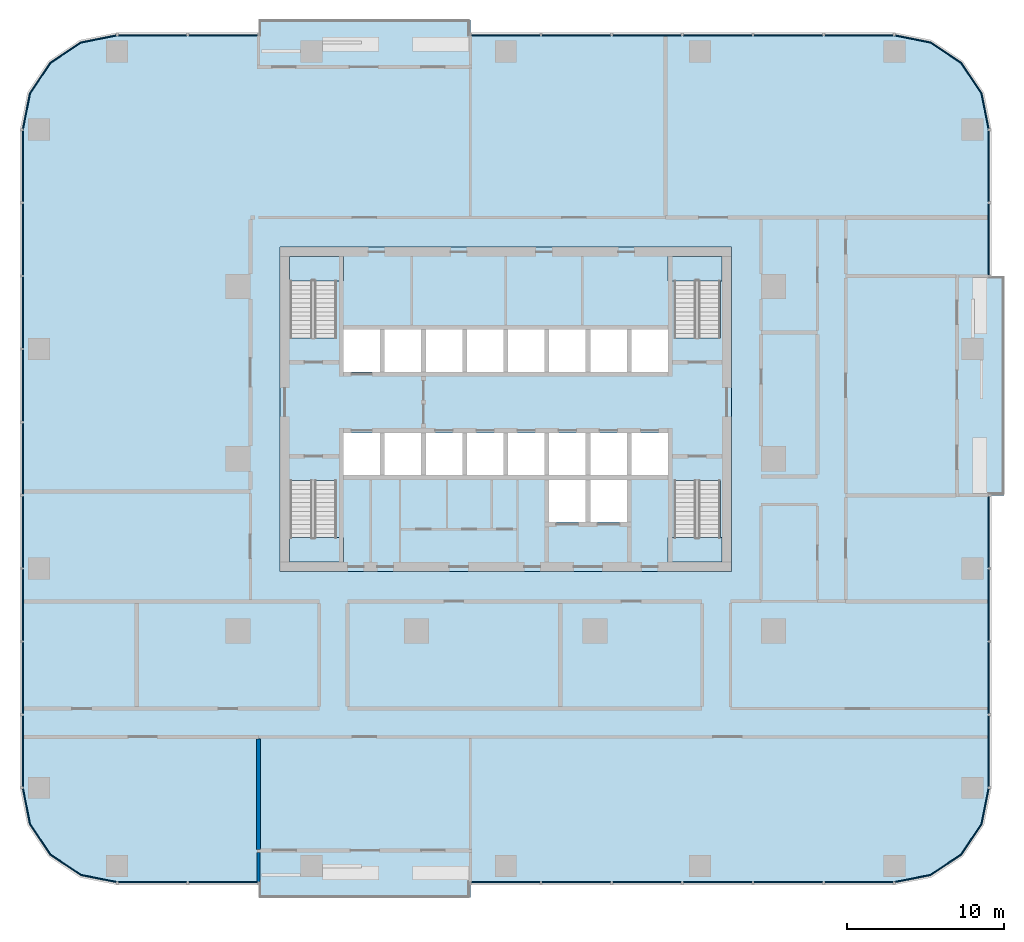
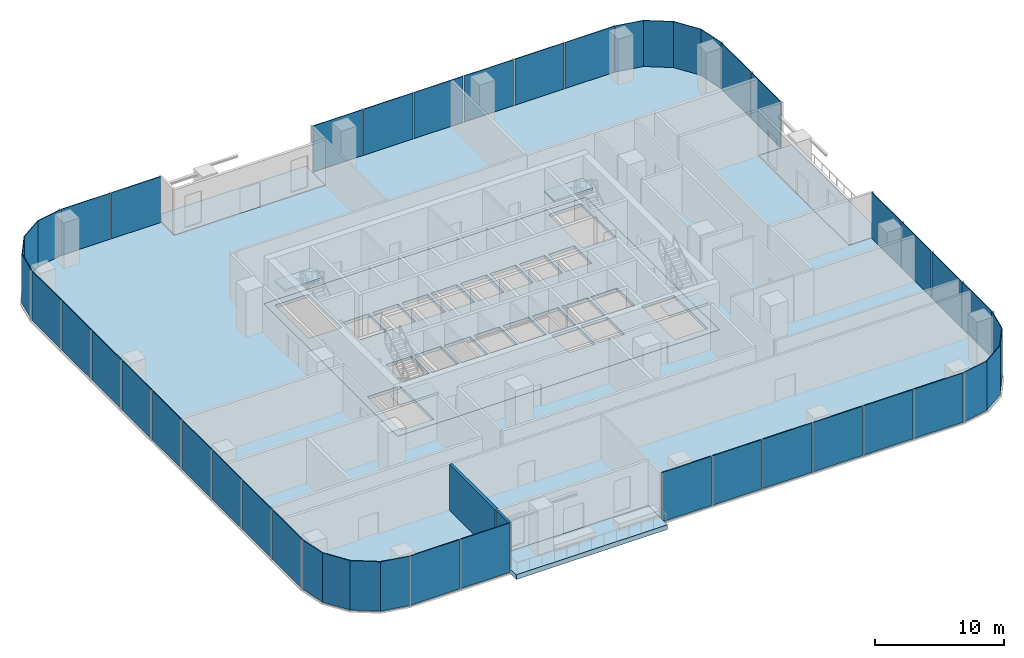
# One storey, part 6 of 15: 35 plates, 9 slabs, 2 walls, 15 elements without a shape of their own.
"""IFC4 building model written with IfcOpenShell, lengths in metres."""

from ifc_helpers import new_model, si_unit, direction, frame, frame_2d, origin, origin_2d, place, context, subcontext, project, spatial, polyline, rectangle, outline, extrude, material, layer, layer_set, type_object, element, aggregate, save


model = new_model("IFC4")

# Units and contexts
model_context = context("Model", 3, precision=1e-05, world=origin(), true_north=direction((0.0, 1.0)))
body_context = subcontext(model_context, "Body", "Model", "MODEL_VIEW")
ifc_project = project(units=[si_unit("LENGTHUNIT", "METRE"), si_unit("AREAUNIT", "SQUARE_METRE"), si_unit("VOLUMEUNIT", "CUBIC_METRE"), si_unit("PLANEANGLEUNIT", "RADIAN"), si_unit("MASSUNIT", "GRAM", prefix="KILO")], contexts=[model_context])

# Site, building, storey
site_placement = place(None, origin())
site = spatial("IfcSite", under=ifc_project, at=site_placement, CompositionType="ELEMENT")
building_placement = place(site_placement, origin())
building = spatial("IfcBuilding", under=site, at=building_placement, Name="Mopane Tessera Tower", CompositionType="ELEMENT")
storey_placement = place(building_placement, frame((0.0, 0.0, 64.60009765625)))
storey = spatial("IfcBuildingStorey", under=building, at=storey_placement, Name="L12", CompositionType="ELEMENT", Elevation=64.60009765625)

# Slab
ifc_material_1 = material(Name="Concrete C40/50", Category="concrete")
ifc_layer_1 = layer(ifc_material_1, 0.300048828125)
ifc_layer_set_1 = layer_set([ifc_layer_1], Name="Concrete C40/50")
slab_type_1 = type_object("IfcSlabType", Name="Core floor slab 300 mm", PredefinedType="FLOOR", material=ifc_layer_set_1)
slab_1_placement = place(storey_placement, frame((0.0, 0.0, -0.300048828125)))
element("IfcSlab", 1, at=slab_1_placement, inside=storey, type_object=slab_type_1, Name="L12 core floor slab", PredefinedType="FLOOR", context=body_context, shape_type="SweptSolid", body=[
    extrude(outline(polyline([(-14.39990234375, -7.199951171875), (14.39990234375, -7.199951171875), (14.39990234375, 13.5), (-14.39990234375, 13.5), (-14.39990234375, -7.199951171875)]), holes=[polyline([(-10.35009765625, -1.050048828125), (-8.02490234375, -1.050048828125), (-8.02490234375, 1.64990234375), (-10.35009765625, 1.64990234375), (-10.35009765625, -1.050048828125)]), polyline([(-7.72509765625, -1.050048828125), (-5.39990234375, -1.050048828125), (-5.39990234375, 1.64990234375), (-7.72509765625, 1.64990234375), (-7.72509765625, -1.050048828125)]), polyline([(-5.10009765625, -1.050048828125), (-2.77490234375, -1.050048828125), (-2.77490234375, 1.64990234375), (-5.10009765625, 1.64990234375), (-5.10009765625, -1.050048828125)]), polyline([(-2.47509765625, -1.050048828125), (-0.14990234375, -1.050048828125), (-0.14990234375, 1.64990234375), (-2.47509765625, 1.64990234375), (-2.47509765625, -1.050048828125)]), polyline([(0.14990234375, -1.050048828125), (2.47509765625, -1.050048828125), (2.47509765625, 1.64990234375), (0.14990234375, 1.64990234375), (0.14990234375, -1.050048828125)]), polyline([(2.77490234375, -1.050048828125), (5.10009765625, -1.050048828125), (5.10009765625, 1.64990234375), (2.77490234375, 1.64990234375), (2.77490234375, -1.050048828125)]), polyline([(5.39990234375, -1.050048828125), (7.72509765625, -1.050048828125), (7.72509765625, 1.64990234375), (5.39990234375, 1.64990234375), (5.39990234375, -1.050048828125)]), polyline([(8.02490234375, -1.050048828125), (10.35009765625, -1.050048828125), (10.35009765625, 1.64990234375), (8.02490234375, 1.64990234375), (8.02490234375, -1.050048828125)]), polyline([(-10.35009765625, 5.550048828125), (-8.02490234375, 5.550048828125), (-8.02490234375, 8.25), (-10.35009765625, 8.25), (-10.35009765625, 5.550048828125)]), polyline([(-7.72509765625, 5.550048828125), (-5.39990234375, 5.550048828125), (-5.39990234375, 8.25), (-7.72509765625, 8.25), (-7.72509765625, 5.550048828125)]), polyline([(-5.10009765625, 5.550048828125), (-2.77490234375, 5.550048828125), (-2.77490234375, 8.25), (-5.10009765625, 8.25), (-5.10009765625, 5.550048828125)]), polyline([(-2.47509765625, 5.550048828125), (-0.14990234375, 5.550048828125), (-0.14990234375, 8.25), (-2.47509765625, 8.25), (-2.47509765625, 5.550048828125)]), polyline([(0.14990234375, 5.550048828125), (2.47509765625, 5.550048828125), (2.47509765625, 8.25), (0.14990234375, 8.25), (0.14990234375, 5.550048828125)]), polyline([(2.77490234375, 5.550048828125), (5.10009765625, 5.550048828125), (5.10009765625, 8.25), (2.77490234375, 8.25), (2.77490234375, 5.550048828125)]), polyline([(5.39990234375, 5.550048828125), (7.72509765625, 5.550048828125), (7.72509765625, 8.25), (5.39990234375, 8.25), (5.39990234375, 5.550048828125)]), polyline([(8.02490234375, 5.550048828125), (10.35009765625, 5.550048828125), (10.35009765625, 8.25), (8.02490234375, 8.25), (8.02490234375, 5.550048828125)]), polyline([(2.77490234375, -4.050048828125), (5.10009765625, -4.050048828125), (5.10009765625, -1.35009765625), (2.77490234375, -1.35009765625), (2.77490234375, -4.050048828125)]), polyline([(5.39990234375, -4.050048828125), (7.72509765625, -4.050048828125), (7.72509765625, -1.35009765625), (5.39990234375, -1.35009765625), (5.39990234375, -4.050048828125)]), polyline([(-13.75, -1.405029296875), (-13.75, -6.60009765625), (-10.800048828125, -6.60009765625), (-10.800048828125, -1.405029296875), (-13.75, -1.405029296875)]), polyline([(-10.800048828125, 7.705078125), (-10.800048828125, 12.89990234375), (-13.75, 12.89990234375), (-13.75, 7.705078125), (-10.800048828125, 7.705078125)]), polyline([(10.75, -1.405029296875), (10.75, -6.60009765625), (13.699951171875, -6.60009765625), (13.699951171875, -1.405029296875), (10.75, -1.405029296875)]), polyline([(13.699951171875, 7.705078125), (13.699951171875, 12.89990234375), (10.75, 12.89990234375), (10.75, 7.705078125), (13.699951171875, 7.705078125)])]), origin(), (0.0, 0.0, 1.0), 0.300048828125),
])

# Stair, slab
ifc_material_2 = material(Name="Concrete C50/60", Category="concrete")
stair_type = type_object("IfcStairType", Name="Escape stair 1400 mm, riser 171 mm", PredefinedType="HALF_TURN_STAIR", material=ifc_material_2)
stair_1_placement = place(storey_placement, origin())
stair_1 = element("IfcStair", 2, at=stair_1_placement, inside=storey, type_object=stair_type, Name="L12 Escape stair south-west", PredefinedType="HALF_TURN_STAIR")
ifc_material_3 = material(Name="Concrete C50/60", Category="concrete")
ifc_layer_2 = layer(ifc_material_3, 0.199951171875)
ifc_layer_set_2 = layer_set([ifc_layer_2], Name="Concrete C50/60")
slab_type_2 = type_object("IfcSlabType", Name="Escape stair landing 200 mm", PredefinedType="LANDING", material=ifc_layer_set_2)
slab_2_placement = place(storey_placement, frame((0.0, 0.0, 2.199951171875)))
slab_2 = element("IfcSlab", 3, at=slab_2_placement, type_object=slab_type_2, Name="ST1 landing 1", PredefinedType="LANDING", context=body_context, shape_type="SweptSolid", body=[
    extrude(outline(polyline([(-13.800048828125, -5.0400390625), (-13.800048828125, -6.60009765625), (-10.35009765625, -6.60009765625), (-10.35009765625, -5.0400390625), (-13.800048828125, -5.0400390625)])), origin(), (0.0, 0.0, 1.0), 0.199951171875),
])
aggregate(stair_1, [slab_2])

stair_2_placement = place(storey_placement, origin())
stair_2 = element("IfcStair", 4, at=stair_2_placement, inside=storey, type_object=stair_type, Name="L12 Escape stair north-west", PredefinedType="HALF_TURN_STAIR")
slab_3_placement = place(storey_placement, frame((0.0, 0.0, 2.199951171875)))
slab_3 = element("IfcSlab", 5, at=slab_3_placement, type_object=slab_type_2, Name="ST2 landing 1", PredefinedType="LANDING", context=body_context, shape_type="SweptSolid", body=[
    extrude(outline(polyline([(-10.35009765625, 11.340087890625), (-10.35009765625, 12.89990234375), (-13.800048828125, 12.89990234375), (-13.800048828125, 11.340087890625), (-10.35009765625, 11.340087890625)])), origin(), (0.0, 0.0, 1.0), 0.199951171875),
])
aggregate(stair_2, [slab_3])

stair_3_placement = place(storey_placement, origin())
stair_3 = element("IfcStair", 6, at=stair_3_placement, inside=storey, type_object=stair_type, Name="L12 Escape stair south-east", PredefinedType="HALF_TURN_STAIR")
slab_4_placement = place(storey_placement, frame((0.0, 0.0, 2.199951171875)))
slab_4 = element("IfcSlab", 7, at=slab_4_placement, type_object=slab_type_2, Name="ST3 landing 1", PredefinedType="LANDING", context=body_context, shape_type="SweptSolid", body=[
    extrude(outline(polyline([(10.35009765625, -5.0400390625), (10.35009765625, -6.60009765625), (13.800048828125, -6.60009765625), (13.800048828125, -5.0400390625), (10.35009765625, -5.0400390625)])), origin(), (0.0, 0.0, 1.0), 0.199951171875),
])
aggregate(stair_3, [slab_4])

stair_4_placement = place(storey_placement, origin())
stair_4 = element("IfcStair", 8, at=stair_4_placement, inside=storey, type_object=stair_type, Name="L12 Escape stair north-east", PredefinedType="HALF_TURN_STAIR")
slab_5_placement = place(storey_placement, frame((0.0, 0.0, 2.199951171875)))
slab_5 = element("IfcSlab", 9, at=slab_5_placement, type_object=slab_type_2, Name="ST4 landing 1", PredefinedType="LANDING", context=body_context, shape_type="SweptSolid", body=[
    extrude(outline(polyline([(13.800048828125, 11.340087890625), (13.800048828125, 12.89990234375), (10.35009765625, 12.89990234375), (10.35009765625, 11.340087890625), (13.800048828125, 11.340087890625)])), origin(), (0.0, 0.0, 1.0), 0.199951171875),
])
aggregate(stair_4, [slab_5])

# Curtain wall, plates
ifc_material_4 = material(Name="Aluminium frame", Category="aluminium")
curtain_wall_type = type_object("IfcCurtainWallType", Name="Lower tower unitised wall", PredefinedType="NOTDEFINED", material=ifc_material_4)
curtain_wall_1_placement = place(storey_placement, origin())
curtain_wall_1 = element("IfcCurtainWall", 10, at=curtain_wall_1_placement, inside=storey, type_object=curtain_wall_type, Name="e:cw:L12:S:0", PredefinedType="NOTDEFINED")
ifc_material_5 = material(Name="Clear laminated glass", Category="glass")
ifc_layer_3 = layer(ifc_material_5, 0.070068359375)
ifc_layer_set_3 = layer_set([ifc_layer_3], Name="Clear laminated glass")
plate_type = type_object("IfcPlateType", Name="Laminated glazed unit 70", PredefinedType="CURTAIN_PANEL", material=ifc_layer_set_3)
plate_1_placement = place(storey_placement, frame((-22.54541015625, -27.034912109375, -0.31005859375), z_axis=(0.0, 0.0, 1.0), x_axis=(1.0, 0.0, 0.0)))
plate_1 = element("IfcPlate", 11, at=plate_1_placement, type_object=plate_type, Name="e:cw:L12:S:0:pn0", PredefinedType="CURTAIN_PANEL", context=body_context, shape_type="SweptSolid", body=[
    extrude(rectangle(XDim=4.399169921875, YDim=0.070068359375, at=origin_2d()), origin(), (0.0, 0.0, 1.0), 4.659912109375),
])
plate_2_placement = place(storey_placement, frame((-18.036376953125, -27.034912109375, -0.31005859375), z_axis=(0.0, 0.0, 1.0), x_axis=(1.0, 0.0, 0.0)))
plate_2 = element("IfcPlate", 12, at=plate_2_placement, type_object=plate_type, Name="e:cw:L12:S:0:pn1", PredefinedType="CURTAIN_PANEL", context=body_context, shape_type="SweptSolid", body=[
    extrude(rectangle(XDim=4.399169921875, YDim=0.070068359375, at=origin_2d()), origin(), (0.0, 0.0, 1.0), 4.659912109375),
])
aggregate(curtain_wall_1, [plate_1, plate_2])

curtain_wall_2_placement = place(storey_placement, origin())
curtain_wall_2 = element("IfcCurtainWall", 13, at=curtain_wall_2_placement, inside=storey, type_object=curtain_wall_type, Name="e:cw:L12:S:5", PredefinedType="NOTDEFINED")
plate_3_placement = place(storey_placement, frame((0.0, -27.034912109375, -0.31005859375), z_axis=(0.0, 0.0, 1.0), x_axis=(1.0, 0.0, 0.0)))
plate_3 = element("IfcPlate", 14, at=plate_3_placement, type_object=plate_type, Name="e:cw:L12:S:5:pn5", PredefinedType="CURTAIN_PANEL", context=body_context, shape_type="SweptSolid", body=[
    extrude(rectangle(XDim=4.399169921875, YDim=0.070068359375, at=origin_2d()), origin(), (0.0, 0.0, 1.0), 4.659912109375),
])
plate_4_placement = place(storey_placement, frame((4.509033203125, -27.034912109375, -0.31005859375), z_axis=(0.0, 0.0, 1.0), x_axis=(1.0, 0.0, 0.0)))
plate_4 = element("IfcPlate", 15, at=plate_4_placement, type_object=plate_type, Name="e:cw:L12:S:5:pn6", PredefinedType="CURTAIN_PANEL", context=body_context, shape_type="SweptSolid", body=[
    extrude(rectangle(XDim=4.399169921875, YDim=0.070068359375, at=origin_2d()), origin(), (0.0, 0.0, 1.0), 4.659912109375),
])
plate_5_placement = place(storey_placement, frame((9.01806640625, -27.034912109375, -0.31005859375), z_axis=(0.0, 0.0, 1.0), x_axis=(1.0, 0.0, 0.0)))
plate_5 = element("IfcPlate", 16, at=plate_5_placement, type_object=plate_type, Name="e:cw:L12:S:5:pn7", PredefinedType="CURTAIN_PANEL", context=body_context, shape_type="SweptSolid", body=[
    extrude(rectangle(XDim=4.399169921875, YDim=0.070068359375, at=origin_2d()), origin(), (0.0, 0.0, 1.0), 4.659912109375),
])
plate_6_placement = place(storey_placement, frame((13.52734375, -27.034912109375, -0.31005859375), z_axis=(0.0, 0.0, 1.0), x_axis=(1.0, 0.0, 0.0)))
plate_6 = element("IfcPlate", 17, at=plate_6_placement, type_object=plate_type, Name="e:cw:L12:S:5:pn8", PredefinedType="CURTAIN_PANEL", context=body_context, shape_type="SweptSolid", body=[
    extrude(rectangle(XDim=4.399169921875, YDim=0.070068359375, at=origin_2d()), origin(), (0.0, 0.0, 1.0), 4.659912109375),
])
plate_7_placement = place(storey_placement, frame((18.036376953125, -27.034912109375, -0.31005859375), z_axis=(0.0, 0.0, 1.0), x_axis=(1.0, 0.0, 0.0)))
plate_7 = element("IfcPlate", 18, at=plate_7_placement, type_object=plate_type, Name="e:cw:L12:S:5:pn9", PredefinedType="CURTAIN_PANEL", context=body_context, shape_type="SweptSolid", body=[
    extrude(rectangle(XDim=4.399169921875, YDim=0.070068359375, at=origin_2d()), origin(), (0.0, 0.0, 1.0), 4.659912109375),
])
plate_8_placement = place(storey_placement, frame((22.54541015625, -27.034912109375, -0.31005859375), z_axis=(0.0, 0.0, 1.0), x_axis=(1.0, 0.0, 0.0)))
plate_8 = element("IfcPlate", 19, at=plate_8_placement, type_object=plate_type, Name="e:cw:L12:S:5:pn10", PredefinedType="CURTAIN_PANEL", context=body_context, shape_type="SweptSolid", body=[
    extrude(rectangle(XDim=4.399169921875, YDim=0.070068359375, at=origin_2d()), origin(), (0.0, 0.0, 1.0), 4.659912109375),
])
aggregate(curtain_wall_2, [plate_3, plate_4, plate_5, plate_6, plate_7, plate_8])

# Curtain wall, plate
curtain_wall_3_placement = place(storey_placement, origin())
curtain_wall_3 = element("IfcCurtainWall", 20, at=curtain_wall_3_placement, inside=storey, type_object=curtain_wall_type, Name="e:cw:L12:CS", PredefinedType="NOTDEFINED")
plate_9_placement = place(storey_placement, frame((0.0, 0.0, -0.31005859375)))
plate_9 = element("IfcPlate", 21, at=plate_9_placement, type_object=plate_type, Name="e:cw:L12:CS:pn", PredefinedType="CURTAIN_PANEL", context=body_context, shape_type="SweptSolid", body=[
    extrude(outline(polyline([(24.800048828125, -27.0), (27.09619140625, -26.543212890625), (29.042724609375, -25.24267578125), (30.34326171875, -23.296142578125), (30.800048828125, -21.0), (30.8701171875, -21.0), (30.407958984375, -23.322998046875), (29.092041015625, -25.292236328125), (27.122802734375, -26.60791015625), (24.800048828125, -27.070068359375), (24.800048828125, -27.0)])), origin(), (0.0, 0.0, 1.0), 4.659912109375),
])
aggregate(curtain_wall_3, [plate_9])

# Curtain wall, plates
curtain_wall_4_placement = place(storey_placement, origin())
curtain_wall_4 = element("IfcCurtainWall", 22, at=curtain_wall_4_placement, inside=storey, type_object=curtain_wall_type, Name="e:cw:L12:E:0", PredefinedType="NOTDEFINED")
plate_10_placement = place(storey_placement, frame((30.8349609375, -18.666748046875, -0.31005859375), z_axis=(0.0, 0.0, 1.0), x_axis=(0.0, 1.0, 0.0)))
plate_10 = element("IfcPlate", 23, at=plate_10_placement, type_object=plate_type, Name="e:cw:L12:E:0:pn0", PredefinedType="CURTAIN_PANEL", context=body_context, shape_type="SweptSolid", body=[
    extrude(rectangle(XDim=4.556640625, YDim=0.070068359375, at=origin_2d()), origin(), (0.0, 0.0, 1.0), 4.659912109375),
])
plate_11_placement = place(storey_placement, frame((30.8349609375, -14.0, -0.31005859375), z_axis=(0.0, 0.0, 1.0), x_axis=(0.0, 1.0, 0.0)))
plate_11 = element("IfcPlate", 24, at=plate_11_placement, type_object=plate_type, Name="e:cw:L12:E:0:pn1", PredefinedType="CURTAIN_PANEL", context=body_context, shape_type="SweptSolid", body=[
    extrude(rectangle(XDim=4.556640625, YDim=0.070068359375, at=origin_2d()), origin(), (0.0, 0.0, 1.0), 4.659912109375),
])
plate_12_placement = place(storey_placement, frame((30.8349609375, -9.333251953125, -0.31005859375), z_axis=(0.0, 0.0, 1.0), x_axis=(0.0, 1.0, 0.0)))
plate_12 = element("IfcPlate", 25, at=plate_12_placement, type_object=plate_type, Name="e:cw:L12:E:0:pn2", PredefinedType="CURTAIN_PANEL", context=body_context, shape_type="SweptSolid", body=[
    extrude(rectangle(XDim=4.556640625, YDim=0.070068359375, at=origin_2d()), origin(), (0.0, 0.0, 1.0), 4.659912109375),
])
plate_13_placement = place(storey_placement, frame((30.8349609375, -4.666748046875, -0.31005859375), z_axis=(0.0, 0.0, 1.0), x_axis=(0.0, 1.0, 0.0)))
plate_13 = element("IfcPlate", 26, at=plate_13_placement, type_object=plate_type, Name="e:cw:L12:E:0:pn3", PredefinedType="CURTAIN_PANEL", context=body_context, shape_type="SweptSolid", body=[
    extrude(rectangle(XDim=4.556640625, YDim=0.070068359375, at=origin_2d()), origin(), (0.0, 0.0, 1.0), 4.659912109375),
])
aggregate(curtain_wall_4, [plate_10, plate_11, plate_12, plate_13])

curtain_wall_5_placement = place(storey_placement, origin())
curtain_wall_5 = element("IfcCurtainWall", 27, at=curtain_wall_5_placement, inside=storey, type_object=curtain_wall_type, Name="e:cw:L12:E:7", PredefinedType="NOTDEFINED")
plate_14_placement = place(storey_placement, frame((30.8349609375, 14.0, -0.31005859375), z_axis=(0.0, 0.0, 1.0), x_axis=(0.0, 1.0, 0.0)))
plate_14 = element("IfcPlate", 28, at=plate_14_placement, type_object=plate_type, Name="e:cw:L12:E:7:pn7", PredefinedType="CURTAIN_PANEL", context=body_context, shape_type="SweptSolid", body=[
    extrude(rectangle(XDim=4.556640625, YDim=0.070068359375, at=origin_2d()), origin(), (0.0, 0.0, 1.0), 4.659912109375),
])
plate_15_placement = place(storey_placement, frame((30.8349609375, 18.666748046875, -0.31005859375), z_axis=(0.0, 0.0, 1.0), x_axis=(0.0, 1.0, 0.0)))
plate_15 = element("IfcPlate", 29, at=plate_15_placement, type_object=plate_type, Name="e:cw:L12:E:7:pn8", PredefinedType="CURTAIN_PANEL", context=body_context, shape_type="SweptSolid", body=[
    extrude(rectangle(XDim=4.556640625, YDim=0.070068359375, at=origin_2d()), origin(), (0.0, 0.0, 1.0), 4.659912109375),
])
aggregate(curtain_wall_5, [plate_14, plate_15])

# Curtain wall, plate
curtain_wall_6_placement = place(storey_placement, origin())
curtain_wall_6 = element("IfcCurtainWall", 30, at=curtain_wall_6_placement, inside=storey, type_object=curtain_wall_type, Name="e:cw:L12:CE", PredefinedType="NOTDEFINED")
plate_16_placement = place(storey_placement, frame((0.0, 0.0, -0.31005859375)))
plate_16 = element("IfcPlate", 31, at=plate_16_placement, type_object=plate_type, Name="e:cw:L12:CE:pn", PredefinedType="CURTAIN_PANEL", context=body_context, shape_type="SweptSolid", body=[
    extrude(outline(polyline([(30.800048828125, 21.0), (30.34326171875, 23.296142578125), (29.042724609375, 25.24267578125), (27.09619140625, 26.543212890625), (24.800048828125, 27.0), (24.800048828125, 27.070068359375), (27.122802734375, 26.60791015625), (29.092041015625, 25.292236328125), (30.407958984375, 23.322998046875), (30.8701171875, 21.0), (30.800048828125, 21.0)])), origin(), (0.0, 0.0, 1.0), 4.659912109375),
])
aggregate(curtain_wall_6, [plate_16])

# Curtain wall, plates
curtain_wall_7_placement = place(storey_placement, origin())
curtain_wall_7 = element("IfcCurtainWall", 32, at=curtain_wall_7_placement, inside=storey, type_object=curtain_wall_type, Name="e:cw:L12:N:0", PredefinedType="NOTDEFINED")
plate_17_placement = place(storey_placement, frame((22.54541015625, 27.034912109375, -0.31005859375), z_axis=(0.0, 0.0, 1.0), x_axis=(-1.0, 0.0, 0.0)))
plate_17 = element("IfcPlate", 33, at=plate_17_placement, type_object=plate_type, Name="e:cw:L12:N:0:pn0", PredefinedType="CURTAIN_PANEL", context=body_context, shape_type="SweptSolid", body=[
    extrude(rectangle(XDim=4.399169921875, YDim=0.070068359375, at=origin_2d()), origin(), (0.0, 0.0, 1.0), 4.659912109375),
])
plate_18_placement = place(storey_placement, frame((18.036376953125, 27.034912109375, -0.31005859375), z_axis=(0.0, 0.0, 1.0), x_axis=(-1.0, 0.0, 0.0)))
plate_18 = element("IfcPlate", 34, at=plate_18_placement, type_object=plate_type, Name="e:cw:L12:N:0:pn1", PredefinedType="CURTAIN_PANEL", context=body_context, shape_type="SweptSolid", body=[
    extrude(rectangle(XDim=4.399169921875, YDim=0.070068359375, at=origin_2d()), origin(), (0.0, 0.0, 1.0), 4.659912109375),
])
plate_19_placement = place(storey_placement, frame((13.52734375, 27.034912109375, -0.31005859375), z_axis=(0.0, 0.0, 1.0), x_axis=(-1.0, 0.0, 0.0)))
plate_19 = element("IfcPlate", 35, at=plate_19_placement, type_object=plate_type, Name="e:cw:L12:N:0:pn2", PredefinedType="CURTAIN_PANEL", context=body_context, shape_type="SweptSolid", body=[
    extrude(rectangle(XDim=4.399169921875, YDim=0.070068359375, at=origin_2d()), origin(), (0.0, 0.0, 1.0), 4.659912109375),
])
plate_20_placement = place(storey_placement, frame((9.01806640625, 27.034912109375, -0.31005859375), z_axis=(0.0, 0.0, 1.0), x_axis=(-1.0, 0.0, 0.0)))
plate_20 = element("IfcPlate", 36, at=plate_20_placement, type_object=plate_type, Name="e:cw:L12:N:0:pn3", PredefinedType="CURTAIN_PANEL", context=body_context, shape_type="SweptSolid", body=[
    extrude(rectangle(XDim=4.399169921875, YDim=0.070068359375, at=origin_2d()), origin(), (0.0, 0.0, 1.0), 4.659912109375),
])
plate_21_placement = place(storey_placement, frame((4.509033203125, 27.034912109375, -0.31005859375), z_axis=(0.0, 0.0, 1.0), x_axis=(-1.0, 0.0, 0.0)))
plate_21 = element("IfcPlate", 37, at=plate_21_placement, type_object=plate_type, Name="e:cw:L12:N:0:pn4", PredefinedType="CURTAIN_PANEL", context=body_context, shape_type="SweptSolid", body=[
    extrude(rectangle(XDim=4.399169921875, YDim=0.070068359375, at=origin_2d()), origin(), (0.0, 0.0, 1.0), 4.659912109375),
])
plate_22_placement = place(storey_placement, frame((0.0, 27.034912109375, -0.31005859375), z_axis=(0.0, 0.0, 1.0), x_axis=(-1.0, 0.0, 0.0)))
plate_22 = element("IfcPlate", 38, at=plate_22_placement, type_object=plate_type, Name="e:cw:L12:N:0:pn5", PredefinedType="CURTAIN_PANEL", context=body_context, shape_type="SweptSolid", body=[
    extrude(rectangle(XDim=4.399169921875, YDim=0.070068359375, at=origin_2d()), origin(), (0.0, 0.0, 1.0), 4.659912109375),
])
aggregate(curtain_wall_7, [plate_17, plate_18, plate_19, plate_20, plate_21, plate_22])

curtain_wall_8_placement = place(storey_placement, origin())
curtain_wall_8 = element("IfcCurtainWall", 39, at=curtain_wall_8_placement, inside=storey, type_object=curtain_wall_type, Name="e:cw:L12:N:9", PredefinedType="NOTDEFINED")
plate_23_placement = place(storey_placement, frame((-18.036376953125, 27.034912109375, -0.31005859375), z_axis=(0.0, 0.0, 1.0), x_axis=(-1.0, 0.0, 0.0)))
plate_23 = element("IfcPlate", 40, at=plate_23_placement, type_object=plate_type, Name="e:cw:L12:N:9:pn9", PredefinedType="CURTAIN_PANEL", context=body_context, shape_type="SweptSolid", body=[
    extrude(rectangle(XDim=4.399169921875, YDim=0.070068359375, at=origin_2d()), origin(), (0.0, 0.0, 1.0), 4.659912109375),
])
plate_24_placement = place(storey_placement, frame((-22.54541015625, 27.034912109375, -0.31005859375), z_axis=(0.0, 0.0, 1.0), x_axis=(-1.0, 0.0, 0.0)))
plate_24 = element("IfcPlate", 41, at=plate_24_placement, type_object=plate_type, Name="e:cw:L12:N:9:pn10", PredefinedType="CURTAIN_PANEL", context=body_context, shape_type="SweptSolid", body=[
    extrude(rectangle(XDim=4.399169921875, YDim=0.070068359375, at=origin_2d()), origin(), (0.0, 0.0, 1.0), 4.659912109375),
])
aggregate(curtain_wall_8, [plate_23, plate_24])

# Curtain wall, plate
curtain_wall_9_placement = place(storey_placement, origin())
curtain_wall_9 = element("IfcCurtainWall", 42, at=curtain_wall_9_placement, inside=storey, type_object=curtain_wall_type, Name="e:cw:L12:CN", PredefinedType="NOTDEFINED")
plate_25_placement = place(storey_placement, frame((0.0, 0.0, -0.31005859375)))
plate_25 = element("IfcPlate", 43, at=plate_25_placement, type_object=plate_type, Name="e:cw:L12:CN:pn", PredefinedType="CURTAIN_PANEL", context=body_context, shape_type="SweptSolid", body=[
    extrude(outline(polyline([(-24.800048828125, 27.0), (-27.09619140625, 26.543212890625), (-29.042724609375, 25.24267578125), (-30.34326171875, 23.296142578125), (-30.800048828125, 21.0), (-30.8701171875, 21.0), (-30.407958984375, 23.322998046875), (-29.092041015625, 25.292236328125), (-27.122802734375, 26.60791015625), (-24.800048828125, 27.070068359375), (-24.800048828125, 27.0)])), origin(), (0.0, 0.0, 1.0), 4.659912109375),
])
aggregate(curtain_wall_9, [plate_25])

# Curtain wall, plates
curtain_wall_10_placement = place(storey_placement, origin())
curtain_wall_10 = element("IfcCurtainWall", 44, at=curtain_wall_10_placement, inside=storey, type_object=curtain_wall_type, Name="e:cw:L12:W:0", PredefinedType="NOTDEFINED")
plate_26_placement = place(storey_placement, frame((-30.8349609375, 18.666748046875, -0.31005859375), z_axis=(0.0, 0.0, 1.0), x_axis=(0.0, -1.0, 0.0)))
plate_26 = element("IfcPlate", 45, at=plate_26_placement, type_object=plate_type, Name="e:cw:L12:W:0:pn0", PredefinedType="CURTAIN_PANEL", context=body_context, shape_type="SweptSolid", body=[
    extrude(rectangle(XDim=4.556640625, YDim=0.070068359375, at=origin_2d()), origin(), (0.0, 0.0, 1.0), 4.659912109375),
])
plate_27_placement = place(storey_placement, frame((-30.8349609375, 14.0, -0.31005859375), z_axis=(0.0, 0.0, 1.0), x_axis=(0.0, -1.0, 0.0)))
plate_27 = element("IfcPlate", 46, at=plate_27_placement, type_object=plate_type, Name="e:cw:L12:W:0:pn1", PredefinedType="CURTAIN_PANEL", context=body_context, shape_type="SweptSolid", body=[
    extrude(rectangle(XDim=4.556640625, YDim=0.070068359375, at=origin_2d()), origin(), (0.0, 0.0, 1.0), 4.659912109375),
])
plate_28_placement = place(storey_placement, frame((-30.8349609375, 9.333251953125, -0.31005859375), z_axis=(0.0, 0.0, 1.0), x_axis=(0.0, -1.0, 0.0)))
plate_28 = element("IfcPlate", 47, at=plate_28_placement, type_object=plate_type, Name="e:cw:L12:W:0:pn2", PredefinedType="CURTAIN_PANEL", context=body_context, shape_type="SweptSolid", body=[
    extrude(rectangle(XDim=4.556640625, YDim=0.070068359375, at=origin_2d()), origin(), (0.0, 0.0, 1.0), 4.659912109375),
])
plate_29_placement = place(storey_placement, frame((-30.8349609375, 4.666748046875, -0.31005859375), z_axis=(0.0, 0.0, 1.0), x_axis=(0.0, -1.0, 0.0)))
plate_29 = element("IfcPlate", 48, at=plate_29_placement, type_object=plate_type, Name="e:cw:L12:W:0:pn3", PredefinedType="CURTAIN_PANEL", context=body_context, shape_type="SweptSolid", body=[
    extrude(rectangle(XDim=4.556640625, YDim=0.070068359375, at=origin_2d()), origin(), (0.0, 0.0, 1.0), 4.659912109375),
])
plate_30_placement = place(storey_placement, frame((-30.8349609375, 0.0, -0.31005859375), z_axis=(0.0, 0.0, 1.0), x_axis=(0.0, -1.0, 0.0)))
plate_30 = element("IfcPlate", 49, at=plate_30_placement, type_object=plate_type, Name="e:cw:L12:W:0:pn4", PredefinedType="CURTAIN_PANEL", context=body_context, shape_type="SweptSolid", body=[
    extrude(rectangle(XDim=4.556640625, YDim=0.070068359375, at=origin_2d()), origin(), (0.0, 0.0, 1.0), 4.659912109375),
])
plate_31_placement = place(storey_placement, frame((-30.8349609375, -4.666748046875, -0.31005859375), z_axis=(0.0, 0.0, 1.0), x_axis=(0.0, -1.0, 0.0)))
plate_31 = element("IfcPlate", 50, at=plate_31_placement, type_object=plate_type, Name="e:cw:L12:W:0:pn5", PredefinedType="CURTAIN_PANEL", context=body_context, shape_type="SweptSolid", body=[
    extrude(rectangle(XDim=4.556640625, YDim=0.070068359375, at=origin_2d()), origin(), (0.0, 0.0, 1.0), 4.659912109375),
])
plate_32_placement = place(storey_placement, frame((-30.8349609375, -9.333251953125, -0.31005859375), z_axis=(0.0, 0.0, 1.0), x_axis=(0.0, -1.0, 0.0)))
plate_32 = element("IfcPlate", 51, at=plate_32_placement, type_object=plate_type, Name="e:cw:L12:W:0:pn6", PredefinedType="CURTAIN_PANEL", context=body_context, shape_type="SweptSolid", body=[
    extrude(rectangle(XDim=4.556640625, YDim=0.070068359375, at=origin_2d()), origin(), (0.0, 0.0, 1.0), 4.659912109375),
])
plate_33_placement = place(storey_placement, frame((-30.8349609375, -14.0, -0.31005859375), z_axis=(0.0, 0.0, 1.0), x_axis=(0.0, -1.0, 0.0)))
plate_33 = element("IfcPlate", 52, at=plate_33_placement, type_object=plate_type, Name="e:cw:L12:W:0:pn7", PredefinedType="CURTAIN_PANEL", context=body_context, shape_type="SweptSolid", body=[
    extrude(rectangle(XDim=4.556640625, YDim=0.070068359375, at=origin_2d()), origin(), (0.0, 0.0, 1.0), 4.659912109375),
])
plate_34_placement = place(storey_placement, frame((-30.8349609375, -18.666748046875, -0.31005859375), z_axis=(0.0, 0.0, 1.0), x_axis=(0.0, -1.0, 0.0)))
plate_34 = element("IfcPlate", 53, at=plate_34_placement, type_object=plate_type, Name="e:cw:L12:W:0:pn8", PredefinedType="CURTAIN_PANEL", context=body_context, shape_type="SweptSolid", body=[
    extrude(rectangle(XDim=4.556640625, YDim=0.070068359375, at=origin_2d()), origin(), (0.0, 0.0, 1.0), 4.659912109375),
])
aggregate(curtain_wall_10, [plate_26, plate_27, plate_28, plate_29, plate_30, plate_31, plate_32, plate_33, plate_34])

# Curtain wall, plate
curtain_wall_11_placement = place(storey_placement, origin())
curtain_wall_11 = element("IfcCurtainWall", 54, at=curtain_wall_11_placement, inside=storey, type_object=curtain_wall_type, Name="e:cw:L12:CW", PredefinedType="NOTDEFINED")
plate_35_placement = place(storey_placement, frame((0.0, 0.0, -0.31005859375)))
plate_35 = element("IfcPlate", 55, at=plate_35_placement, type_object=plate_type, Name="e:cw:L12:CW:pn", PredefinedType="CURTAIN_PANEL", context=body_context, shape_type="SweptSolid", body=[
    extrude(outline(polyline([(-30.800048828125, -21.0), (-30.34326171875, -23.296142578125), (-29.042724609375, -25.24267578125), (-27.09619140625, -26.543212890625), (-24.800048828125, -27.0), (-24.800048828125, -27.070068359375), (-27.122802734375, -26.60791015625), (-29.092041015625, -25.292236328125), (-30.407958984375, -23.322998046875), (-30.8701171875, -21.0), (-30.800048828125, -21.0)])), origin(), (0.0, 0.0, 1.0), 4.659912109375),
])
aggregate(curtain_wall_11, [plate_35])

# Slabs
ifc_material_6 = material(Name="Concrete C40/50", Category="concrete")
ifc_layer_4 = layer(ifc_material_6, 0.449951171875)
ifc_layer_set_4 = layer_set([ifc_layer_4], Name="Concrete C40/50")
slab_type_3 = type_object("IfcSlabType", Name="Planted terrace slab 450 mm", PredefinedType="FLOOR", material=ifc_layer_set_4)
slab_6_placement = place(storey_placement, frame((0.0, 0.0, -0.4501953125)))
element("IfcSlab", 56, at=slab_6_placement, inside=storey, type_object=slab_type_3, Name="Terrace slab N1 L12", PredefinedType="FLOOR", context=body_context, shape_type="SweptSolid", body=[
    extrude(outline(polyline([(31.800048828125, 11.666748046875), (28.800048828125, 11.666748046875), (28.800048828125, -2.333251953125), (31.800048828125, -2.333251953125), (31.800048828125, 11.666748046875)])), origin(), (0.0, 0.0, 1.0), 0.4501953125),
])
slab_7_placement = place(storey_placement, frame((0.0, 0.0, -0.4501953125)))
element("IfcSlab", 57, at=slab_7_placement, inside=storey, type_object=slab_type_3, Name="Terrace slab N2 L12", PredefinedType="FLOOR", context=body_context, shape_type="SweptSolid", body=[
    extrude(outline(polyline([(-15.78173828125, 28.0), (-15.78173828125, 25.0), (-2.254638671875, 25.0), (-2.254638671875, 28.0), (-15.78173828125, 28.0)])), origin(), (0.0, 0.0, 1.0), 0.4501953125),
])
slab_8_placement = place(storey_placement, frame((0.0, 0.0, -0.4501953125)))
element("IfcSlab", 58, at=slab_8_placement, inside=storey, type_object=slab_type_3, Name="Terrace slab N3 L12", PredefinedType="FLOOR", context=body_context, shape_type="SweptSolid", body=[
    extrude(outline(polyline([(-2.254638671875, -28.0), (-2.254638671875, -25.0), (-15.78173828125, -25.0), (-15.78173828125, -28.0), (-2.254638671875, -28.0)])), origin(), (0.0, 0.0, 1.0), 0.4501953125),
])
ifc_material_7 = material(Name="Concrete C40/50", Category="concrete")
ifc_layer_5 = layer(ifc_material_7, 0.449951171875)
ifc_layer_set_5 = layer_set([ifc_layer_5], Name="Concrete C40/50")
slab_type_4 = type_object("IfcSlabType", Name="Post-tensioned flat plate 450 mm", PredefinedType="FLOOR", material=ifc_layer_set_5)
slab_9_placement = place(storey_placement, frame((0.0, 0.0, -0.4501953125)))
element("IfcSlab", 59, at=slab_9_placement, inside=storey, type_object=slab_type_4, Name="Floor slab L12", PredefinedType="FLOOR", context=body_context, shape_type="SweptSolid", body=[
    extrude(outline(polyline([(-24.800048828125, -27.0), (-15.78173828125, -27.0), (-15.78173828125, -25.0), (-2.254638671875, -25.0), (-2.254638671875, -27.0), (24.800048828125, -27.0), (27.09619140625, -26.543212890625), (29.042724609375, -25.24267578125), (30.34326171875, -23.296142578125), (30.800048828125, -21.0), (30.800048828125, -2.333251953125), (28.800048828125, -2.333251953125), (28.800048828125, 11.666748046875), (30.800048828125, 11.666748046875), (30.800048828125, 21.0), (30.34326171875, 23.296142578125), (29.042724609375, 25.24267578125), (27.09619140625, 26.543212890625), (24.800048828125, 27.0), (-2.254638671875, 27.0), (-2.254638671875, 25.0), (-15.78173828125, 25.0), (-15.78173828125, 27.0), (-24.800048828125, 27.0), (-27.09619140625, 26.543212890625), (-29.042724609375, 25.24267578125), (-30.34326171875, 23.296142578125), (-30.800048828125, 21.0), (-30.800048828125, -21.0), (-30.34326171875, -23.296142578125), (-29.042724609375, -25.24267578125), (-27.09619140625, -26.543212890625), (-24.800048828125, -27.0)]), holes=[polyline([(14.39990234375, -7.199951171875), (-14.39990234375, -7.199951171875), (-14.39990234375, 13.5), (14.39990234375, 13.5), (14.39990234375, -7.199951171875)])]), origin(), (0.0, 0.0, 1.0), 0.4501953125),
])

# Walls
ifc_material_8 = material(Name="Plastered concrete blockwork C20/25", Category="masonry")
ifc_layer_6 = layer(ifc_material_8, 0.25)
ifc_layer_set_6 = layer_set([ifc_layer_6], Name="Plastered concrete blockwork C20/25")
wall_type_1 = type_object("IfcWallType", Name="Plastered blockwork wall 250, rated EI 120", PredefinedType="PARTITIONING", material=ifc_layer_set_6)
wall_1_placement = place(storey_placement, frame((-15.780029296875, -24.949951171875, 0.0), z_axis=(0.0, 0.0, 1.0), x_axis=(0.0, 1.0, 0.0)))
element("IfcWall", 60, at=wall_1_placement, inside=storey, type_object=wall_type_1, Name="Partition L12:026", PredefinedType="PARTITIONING", context=body_context, shape_type="SweptSolid", body=[
    extrude(rectangle(XDim=7.074951171875, YDim=0.25, at=frame_2d((3.53759765625, 0.0))), origin(), (0.0, 0.0, 1.0), 4.349853515625),
])
ifc_material_9 = material(Name="Blockwork with glazed tile facing", Category="masonry")
ifc_layer_7 = layer(ifc_material_9, 0.199951171875)
ifc_layer_set_7 = layer_set([ifc_layer_7], Name="Blockwork with glazed tile facing")
wall_type_2 = type_object("IfcWallType", Name="Terrace cheek wall 200", PredefinedType="STANDARD", material=ifc_layer_set_7)
wall_2_placement = place(storey_placement, frame((-15.78173828125, -27.0, 0.0), z_axis=(0.0, 0.0, 1.0), x_axis=(0.0, 1.0, 0.0)))
element("IfcWall", 61, at=wall_2_placement, inside=storey, type_object=wall_type_2, Name="e:nw:L12:N3:cheeka", PredefinedType="STANDARD", context=body_context, shape_type="SweptSolid", body=[
    extrude(rectangle(XDim=1.875, YDim=0.199951171875, at=frame_2d((0.9375, 0.0))), origin(), (0.0, 0.0, 1.0), 4.349853515625),
])

save(model, "model.ifc")
